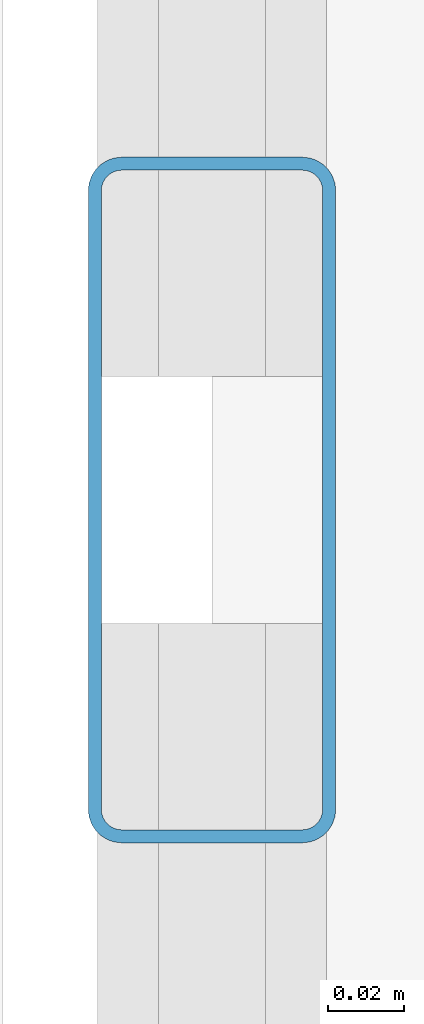
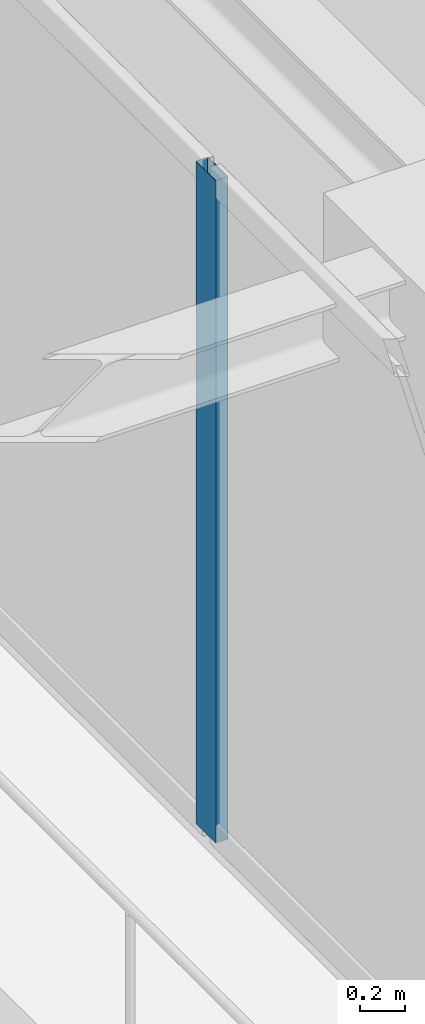
# One storey, part 7 of 37: 1 member, 1 element without a shape of its own.
"""IFC4 building model written with IfcOpenShell, lengths in metres."""

import ifcopenshell
import ifcopenshell.guid

model = None  # the IFC model being written
_history = None  # IfcOwnerHistory: only IFC2X3 demands one
_inside = {}  # id of a spatial element -> (the spatial element, [elements in it])
_under = {}  # id of a project, library or spatial element -> (it, [spatial elements below it])
_declared = {}  # id of a project -> (the project, [libraries it declares])
_typed = {}  # id of a type object -> (the type object, [elements of that type])
_made_of = {}  # id of a material, layer set ... -> (it, [elements and type objects made of it])


def new_model(schema):
    """Start an empty IFC model of exactly this schema.

    Asked for "IFC4X3", IfcOpenShell would pick the latest addendum, in which some entities
    have other attributes; the version numbers below select the first issue.
    IFC2X3 requires an IfcOwnerHistory on every rooted entity: one is made here for all.
    """
    global model, _history
    if schema == "IFC4X3":
        model = ifcopenshell.file(schema_version=(4, 3, 0, 0))
    else:
        model = ifcopenshell.file(schema=schema)
    _inside.clear()
    _under.clear()
    _declared.clear()
    _typed.clear()
    _made_of.clear()
    _history = None
    if model.schema == "IFC2X3":
        org = make("IfcOrganization", Name="unknown")
        user = make(
            "IfcPersonAndOrganization",
            ThePerson=make("IfcPerson", FamilyName="unknown"),
            TheOrganization=org,
        )
        app = make(
            "IfcApplication",
            ApplicationDeveloper=org,
            Version="unknown",
            ApplicationFullName="unknown",
            ApplicationIdentifier="unknown",
        )
        _history = make(
            "IfcOwnerHistory",
            OwningUser=user,
            OwningApplication=app,
            ChangeAction="ADDED",
            CreationDate=0,
        )
    return model


def make(cls, **values):
    """One entity of the class cls with the attributes given. An attribute that is None is left unset."""
    return model.create_entity(
        cls, **{name: value for name, value in values.items() if value is not None}
    )


def rooted(cls, **values):
    """An entity with a GlobalId (a new one), such as an element, a storey or a relation."""
    return make(cls, GlobalId=ifcopenshell.guid.new(), OwnerHistory=_history, **values)


def si_unit(unit_type, name, prefix=None):
    """IfcSIUnit, for example si_unit("LENGTHUNIT", "METRE", prefix="MILLI")."""
    return make("IfcSIUnit", UnitType=unit_type, Prefix=prefix, Name=name)


def assignment(units):
    """IfcUnitAssignment: the units of a project."""
    return None if units is None else make("IfcUnitAssignment", Units=units)


def point(xyz):
    """IfcCartesianPoint."""
    return None if xyz is None else make("IfcCartesianPoint", Coordinates=xyz)


def direction(xyz):
    """IfcDirection."""
    return None if xyz is None else make("IfcDirection", DirectionRatios=xyz)


def frame(location, z_axis=None, x_axis=None):
    """IfcAxis2Placement3D, a coordinate frame: its origin and axes. An axis left out is left unset."""
    return make(
        "IfcAxis2Placement3D",
        Location=point(location),
        Axis=direction(z_axis),
        RefDirection=direction(x_axis),
    )


def frame_2d(location, x_axis=None):
    """IfcAxis2Placement2D, a coordinate frame in the plane: its origin and x axis."""
    return make(
        "IfcAxis2Placement2D", Location=point(location), RefDirection=direction(x_axis)
    )


def origin():
    """The frame at (0, 0, 0) with its axes left unset."""
    return frame((0.0, 0.0, 0.0))


def origin_2d():
    """The frame at (0, 0) in the plane with its x axis left unset."""
    return frame_2d((0.0, 0.0))


def place(relative_to, where):
    """IfcLocalPlacement: puts the frame where relative to a parent placement (None: the world)."""
    return make(
        "IfcLocalPlacement", PlacementRelTo=relative_to, RelativePlacement=where
    )


def context(
    kind, dimensions, precision=None, world=None, true_north=None, identifier=None
):
    """IfcGeometricRepresentationContext, for example the 3D "Model" context."""
    return make(
        "IfcGeometricRepresentationContext",
        ContextIdentifier=identifier,
        ContextType=kind,
        CoordinateSpaceDimension=dimensions,
        Precision=precision,
        WorldCoordinateSystem=world,
        TrueNorth=true_north,
    )


def subcontext(parent, identifier, kind, view, scale=None):
    """IfcGeometricRepresentationSubContext, for example "Body" below "Model"."""
    return make(
        "IfcGeometricRepresentationSubContext",
        ContextIdentifier=identifier,
        ContextType=kind,
        ParentContext=parent,
        TargetScale=scale,
        TargetView=view,
    )


def project(units=None, contexts=None):
    """IfcProject with its units and contexts."""
    return rooted(
        "IfcProject",
        Name="project",
        RepresentationContexts=contexts,
        UnitsInContext=assignment(units),
    )


def spatial(cls, under=None, at=None, **own):
    """A site, building, storey or space (cls), placed at a placement, below another one or the project."""
    s = rooted(cls, ObjectPlacement=at, **own)
    if under is not None:
        _under.setdefault(under.id(), (under, []))[1].append(s)
    return s


def profile(cls, at=None, kind="AREA", **sizes):
    """A parametric profile (cls). Its sizes go by their IFC names, for example OverallWidth=200.0."""
    return make(cls, ProfileType=kind, Position=at, **sizes)


def hollow_rectangle(**sizes):
    """IfcRectangleHollowProfileDef."""
    return profile("IfcRectangleHollowProfileDef", **sizes)


def extrude(swept, where, along, depth):
    """IfcExtrudedAreaSolid: the profile swept, set in the frame where, extruded along a direction by depth."""
    return make(
        "IfcExtrudedAreaSolid",
        SweptArea=swept,
        Position=where,
        ExtrudedDirection=direction(along),
        Depth=depth,
    )


def shape(context_of_items, identifier, shape_type, items):
    """IfcShapeRepresentation: the items that make up one representation, for example the "Body"."""
    return make(
        "IfcShapeRepresentation",
        ContextOfItems=context_of_items,
        RepresentationIdentifier=identifier,
        RepresentationType=shape_type,
        Items=items,
    )


def source(mapping_origin, context_of_items, identifier, shape_type, items):
    """IfcRepresentationMap: a shape defined once, which mapped items show again and again."""
    return make(
        "IfcRepresentationMap",
        MappingOrigin=mapping_origin,
        MappedRepresentation=shape(context_of_items, identifier, shape_type, items),
    )


def transform(
    local_origin,
    x_axis=None,
    y_axis=None,
    z_axis=None,
    scale=None,
    scale2=None,
    scale3=None,
    uniform=True,
):
    """IfcCartesianTransformationOperator3D, or its non-uniform kind. x_axis, y_axis, z_axis: its Axis1, 2, 3."""
    if uniform:
        return make(
            "IfcCartesianTransformationOperator3D",
            Axis1=direction(x_axis),
            Axis2=direction(y_axis),
            LocalOrigin=point(local_origin),
            Scale=scale,
            Axis3=direction(z_axis),
        )
    return make(
        "IfcCartesianTransformationOperator3DnonUniform",
        Axis1=direction(x_axis),
        Axis2=direction(y_axis),
        LocalOrigin=point(local_origin),
        Scale=scale,
        Axis3=direction(z_axis),
        Scale2=scale2,
        Scale3=scale3,
    )


def mapped(mapping_source, mapping_target):
    """IfcMappedItem: shows the shape of a source again, moved by a transform."""
    return make(
        "IfcMappedItem", MappingSource=mapping_source, MappingTarget=mapping_target
    )


def material(Name=None, Category=None):
    """IfcMaterial."""
    return make("IfcMaterial", Name=Name, Category=Category)


def layer(
    of_material, thickness, ventilated=None, Name=None, Category=None, Priority=None
):
    """IfcMaterialLayer: one layer of a wall or slab, of a material (None: an air gap)."""
    return make(
        "IfcMaterialLayer",
        Material=of_material,
        LayerThickness=thickness,
        IsVentilated=ventilated,
        Name=Name,
        Category=Category,
        Priority=Priority,
    )


def layer_set(layers, Name=None):
    """IfcMaterialLayerSet."""
    return make("IfcMaterialLayerSet", MaterialLayers=layers, LayerSetName=Name)


def material_profile(
    of_material, cross_section, Name=None, Category=None, Priority=None
):
    """IfcMaterialProfile: a cross section and its material."""
    return make(
        "IfcMaterialProfile",
        Name=Name,
        Material=of_material,
        Profile=cross_section,
        Priority=Priority,
        Category=Category,
    )


def profile_set(profiles, Name=None, composite=None):
    """IfcMaterialProfileSet."""
    return make(
        "IfcMaterialProfileSet",
        Name=Name,
        MaterialProfiles=profiles,
        CompositeProfile=composite,
    )


def made_of(thing, what):
    """Note that an element or type object is made of a material, layer set ...; save() writes the relation."""
    if what is not None:
        _made_of.setdefault(what.id(), (what, []))[1].append(thing)
    return thing


def type_object(cls, material=None, **own):
    """A type object (cls), such as IfcWallType, which elements share."""
    return made_of(rooted(cls, **own), material)


def element(
    cls,
    number,
    at=None,
    inside=None,
    cuts=None,
    type_object=None,
    material=None,
    context=None,
    identifier="Body",
    shape_type=None,
    held_by="IfcProductDefinitionShape",
    body=None,
    shapes=None,
    **own,
):
    """One element of the class cls, such as IfcWall. Its Tag is "e" and its number.

    at: its placement. inside: the storey or other place that contains it. cuts: it is an
    opening in that element (IfcRelVoidsElement). A single representation is given by context,
    identifier, shape_type and body (its items); several are given by shapes. held_by: the class
    of the entity that holds the representations. save() writes the other relations.
    """
    e = rooted(cls, Tag="e%d" % number, ObjectPlacement=at, **own)
    if body is not None:
        shapes = [shape(context, identifier, shape_type, body)]
    if shapes is not None:
        e.Representation = make(held_by, Representations=shapes)
    if inside is not None:
        _inside.setdefault(inside.id(), (inside, []))[1].append(e)
    if cuts is not None:
        rooted(
            "IfcRelVoidsElement", RelatingBuildingElement=cuts, RelatedOpeningElement=e
        )
    if type_object is not None:
        _typed.setdefault(type_object.id(), (type_object, []))[1].append(e)
    return made_of(e, material)


def aggregate(whole, parts):
    """IfcRelAggregates: a whole, such as a stair, and the parts it consists of."""
    return rooted("IfcRelAggregates", RelatingObject=whole, RelatedObjects=parts)


def save(model, path):
    """Write the relations noted so far, then the file.

    IfcRelAggregates (storeys below a building ...), IfcRelContainedInSpatialStructure (elements
    in a storey), IfcRelDefinesByType, IfcRelAssociatesMaterial and IfcRelDeclares: one each for
    every whole, place, type object, material and project.
    """
    for whole, parts in _under.values():
        aggregate(whole, parts)
    for where, things in _inside.values():
        rooted(
            "IfcRelContainedInSpatialStructure",
            RelatedElements=things,
            RelatingStructure=where,
        )
    for kind, things in _typed.values():
        rooted("IfcRelDefinesByType", RelatedObjects=things, RelatingType=kind)
    for what, things in _made_of.values():
        rooted("IfcRelAssociatesMaterial", RelatedObjects=things, RelatingMaterial=what)
    for by, libraries in _declared.values():
        rooted("IfcRelDeclares", RelatingContext=by, RelatedDefinitions=libraries)
    model.write(path)


model = new_model("IFC4")

# Units and contexts
model_context = context("Model", 3, precision=1e-05, world=origin(), true_north=direction((0.0, 1.0)))
body_context = subcontext(model_context, "Body", "Model", "MODEL_VIEW")
ifc_project = project(units=[si_unit("LENGTHUNIT", "METRE"), si_unit("AREAUNIT", "SQUARE_METRE"), si_unit("VOLUMEUNIT", "CUBIC_METRE"), si_unit("PLANEANGLEUNIT", "RADIAN"), si_unit("MASSUNIT", "GRAM", prefix="KILO")], contexts=[model_context])

# Site, building, storey
site_placement = place(None, origin())
site = spatial("IfcSite", under=ifc_project, at=site_placement, CompositionType="ELEMENT")
building_placement = place(site_placement, origin())
building = spatial("IfcBuilding", under=site, at=building_placement, Name="Serunith Strait Residences", CompositionType="ELEMENT")
storey_placement = place(building_placement, frame((0.0, 0.0, 248.949951171875)))
storey = spatial("IfcBuildingStorey", under=building, at=storey_placement, Name="L62", CompositionType="ELEMENT", Elevation=248.949951171875)

# Curtain wall, member
ifc_material = material(Name="Pale-Champagne Anodised Aluminium", Category="aluminium")
ifc_layer = layer(ifc_material, 0.199951171875, Name="Pale-Champagne Anodised Aluminium")
ifc_layer_set = layer_set([ifc_layer], Name="Pale-Champagne Anodised Aluminium")
curtain_wall_type = type_object("IfcCurtainWallType", Name="CW-SYS4", PredefinedType="NOTDEFINED", material=ifc_layer_set)
curtain_wall_placement = place(storey_placement, origin())
curtain_wall = element("IfcCurtainWall", 1, at=curtain_wall_placement, inside=storey, type_object=curtain_wall_type, Name="L62 W Unitised Fritted Curtain Wall", PredefinedType="NOTDEFINED")
ifc_material_profile = material_profile(ifc_material, hollow_rectangle(XDim=0.06494140625, YDim=0.179931640625, WallThickness=0.00341796875, InnerFilletRadius=0.00537109375, OuterFilletRadius=0.0087890625, at=origin_2d()), Name="ALU 180x65x3.5")
ifc_profile_set = profile_set([ifc_material_profile], Name="Pale-Champagne Anodised Aluminium")
member_type = type_object("IfcMemberType", Name="CW-SYS4-MULL", PredefinedType="MULLION", material=ifc_profile_set)
shared_shape = source(origin(), body_context, "Body", "SweptSolid", [
    extrude(hollow_rectangle(XDim=0.06494140625, YDim=0.179931640625, WallThickness=0.00341796875, InnerFilletRadius=0.00537109375, OuterFilletRadius=0.0087890625, at=origin_2d()), origin(), (0.0, 0.0, 1.0), 3.574951171875),
])
member_placement = place(storey_placement, frame((7.39990234375, 22.0, 0.0), z_axis=(0.0, 0.0, 1.0), x_axis=(1.0, 0.0, 0.0)))
member = element("IfcMember", 2, at=member_placement, type_object=member_type, Name="CW-4 mullion 4", PredefinedType="MULLION", context=body_context, shape_type="MappedRepresentation", body=[
    mapped(shared_shape, transform((0.0, 0.0, 0.0), scale=1.0)),
])
aggregate(curtain_wall, [member])

save(model, "model.ifc")
